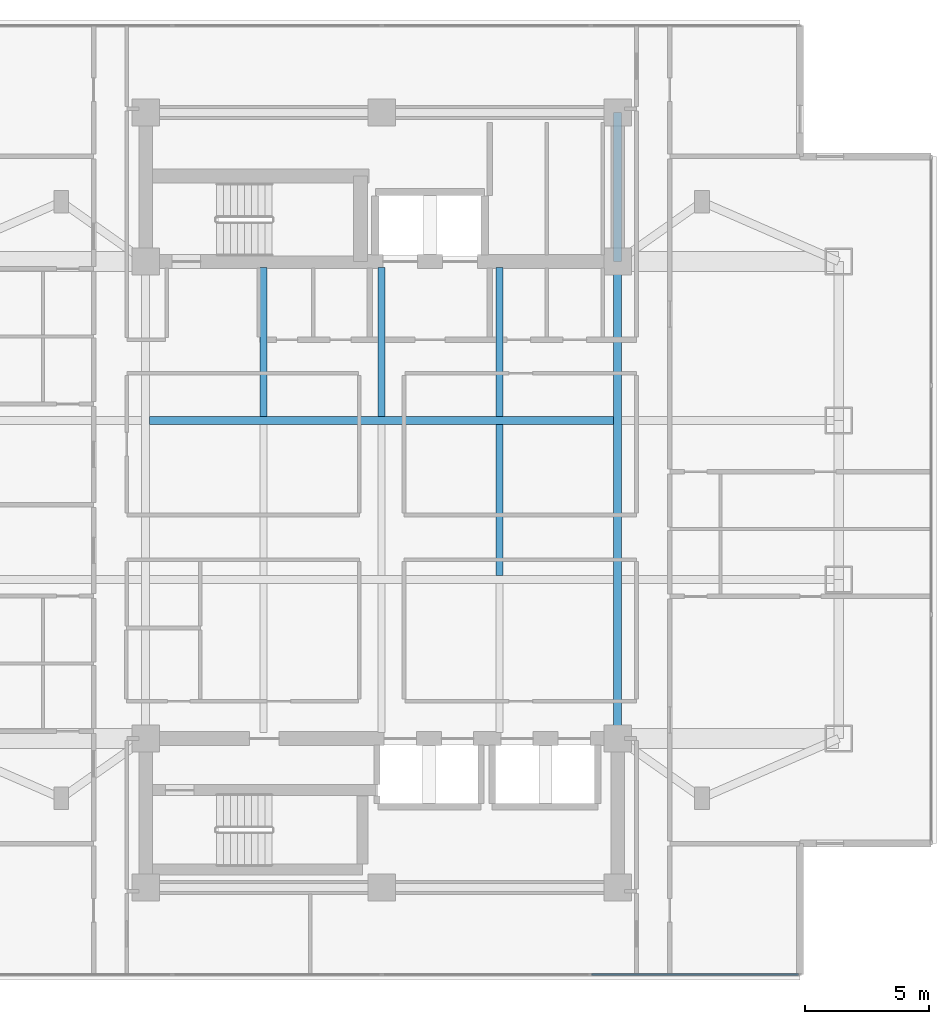
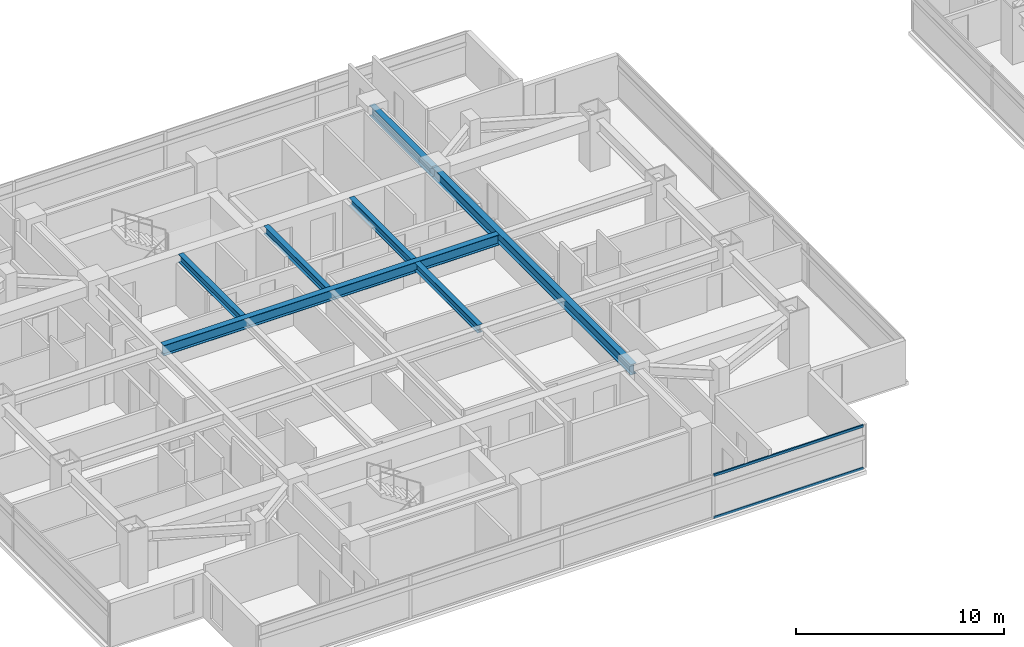
# One storey, part 4 of 24: 7 beams, 2 members, 1 element without a shape of its own.
"""IFC4 building model written with IfcOpenShell, lengths in metres."""

from ifc_helpers import new_model, si_unit, direction, frame, origin, origin_2d, place, context, subcontext, project, spatial, rectangle, i_section, extrude, material, material_profile, profile_set, type_object, element, aggregate, save


model = new_model("IFC4")

# Units and contexts
model_context = context("Model", 3, precision=1e-05, world=origin(), true_north=direction((0.0, 1.0)))
body_context = subcontext(model_context, "Body", "Model", "MODEL_VIEW")
ifc_project = project(units=[si_unit("LENGTHUNIT", "METRE"), si_unit("AREAUNIT", "SQUARE_METRE"), si_unit("VOLUMEUNIT", "CUBIC_METRE"), si_unit("PLANEANGLEUNIT", "RADIAN"), si_unit("MASSUNIT", "GRAM", prefix="KILO")], contexts=[model_context])

# Site, building, storey
site_placement = place(None, origin())
site = spatial("IfcSite", under=ifc_project, at=site_placement, CompositionType="ELEMENT")
building_placement = place(site_placement, origin())
building = spatial("IfcBuilding", under=site, at=building_placement, Name="Mirazonda Arch Towers", CompositionType="ELEMENT")
storey_placement = place(building_placement, frame((0.0, 0.0, 144.5)))
storey = spatial("IfcBuildingStorey", under=building, at=storey_placement, Name="L41", CompositionType="ELEMENT", Elevation=144.5)

# Beams
ifc_material_1 = material(Name="Steel ASTM A992 Grade 50", Category="steel")
ifc_material_profile_1 = material_profile(ifc_material_1, i_section(OverallWidth=0.280029296875, OverallDepth=0.462890625, WebThickness=0.0107421875, FlangeThickness=0.017333984375, at=origin_2d()), Name="W18X76")
ifc_profile_set_1 = profile_set([ifc_material_profile_1], Name="Steel ASTM A992 Grade 50")
beam_type_1 = type_object("IfcBeamType", Name="BM-INT-W18X76", PredefinedType="JOIST", material=ifc_profile_set_1)
for number, where, z_axis, x_axis, name in (
    (1, (15.75, 31.3583984375, 2.70849609375), (0.0, 1.0, 0.0), (-1.0, 0.0, 0.0), "L41 Floor Beam BMT-T1-L41-J-157-31"),
    (2, (20.5, 31.3583984375, 2.70849609375), (0.0, 1.0, 0.0), (-1.0, 0.0, 0.0), "L41 Floor Beam BMT-T1-L41-J-205-31"),
    (3, (25.25, 31.3583984375, 2.70849609375), (0.0, 1.0, 0.0), (-1.0, 0.0, 0.0), "L41 Floor Beam BMT-T1-L41-J-252-31"),
):
    element("IfcBeam", number, at=place(storey_placement, frame(where, z_axis=z_axis, x_axis=x_axis)), inside=storey, type_object=beam_type_1, Name=name, PredefinedType="JOIST", context=body_context, shape_type="SweptSolid", body=[
        extrude(i_section(OverallWidth=0.280029296875, OverallDepth=0.462890625, WebThickness=0.0107421875, FlangeThickness=0.017333984375, at=origin_2d()), origin(), (0.0, 0.0, 1.0), 6.001708984375),
    ])
beam_1_placement = place(storey_placement, frame((25.25, 24.95849609375, 2.70849609375), z_axis=(0.0, 1.0, 0.0), x_axis=(-1.0, 0.0, 0.0)))
element("IfcBeam", 4, at=beam_1_placement, inside=storey, type_object=beam_type_1, Name="L41 Floor Beam BMT-T1-L41-J-252-24", PredefinedType="JOIST", context=body_context, shape_type="SweptSolid", body=[
    extrude(i_section(OverallWidth=0.280029296875, OverallDepth=0.462890625, WebThickness=0.0107421875, FlangeThickness=0.017333984375, at=origin_2d()), origin(), (0.0, 0.0, 1.0), 6.0830078125),
])
ifc_material_profile_2 = material_profile(ifc_material_1, i_section(OverallWidth=0.324951171875, OverallDepth=0.615966796875, WebThickness=0.013916015625, FlangeThickness=0.021484375, at=origin_2d()), Name="W24X117")
ifc_profile_set_2 = profile_set([ifc_material_profile_2], Name="Steel ASTM A992 Grade 50")
beam_type_2 = type_object("IfcBeamType", Name="BM-INT-W24X117", PredefinedType="BEAM", material=ifc_profile_set_2)
beam_2_placement = place(storey_placement, frame((11.16259765625, 31.199951171875, 2.632080078125), z_axis=(1.0, 0.0, 0.0), x_axis=(0.0, 1.0, 0.0)))
element("IfcBeam", 5, at=beam_2_placement, inside=storey, type_object=beam_type_2, Name="L41 Floor Beam BMT-T1-L41-GC3", PredefinedType="BEAM", context=body_context, shape_type="SweptSolid", body=[
    extrude(i_section(OverallWidth=0.324951171875, OverallDepth=0.615966796875, WebThickness=0.013916015625, FlangeThickness=0.021484375, at=origin_2d()), origin(), (0.0, 0.0, 1.0), 18.6748046875),
])
beam_3_placement = place(storey_placement, frame((30.0, 37.60009765625, 2.632080078125), z_axis=(0.0, 1.0, 0.0), x_axis=(-1.0, 0.0, 0.0)))
element("IfcBeam", 6, at=beam_3_placement, inside=storey, type_object=beam_type_2, Name="L41 Floor Beam BMT-T1-L41-CNE", PredefinedType="BEAM", context=body_context, shape_type="SweptSolid", body=[
    extrude(i_section(OverallWidth=0.324951171875, OverallDepth=0.615966796875, WebThickness=0.013916015625, FlangeThickness=0.021484375, at=origin_2d()), origin(), (0.0, 0.0, 1.0), 6.0),
])
beam_4_placement = place(storey_placement, frame((30.0, 18.39990234375, 2.632080078125), z_axis=(0.0, 1.0, 0.0), x_axis=(-1.0, 0.0, 0.0)))
element("IfcBeam", 7, at=beam_4_placement, inside=storey, type_object=beam_type_2, Name="L41 Floor Beam BMT-T1-L41-NS-CE-FULL", PredefinedType="BEAM", context=body_context, shape_type="SweptSolid", body=[
    extrude(i_section(OverallWidth=0.324951171875, OverallDepth=0.615966796875, WebThickness=0.013916015625, FlangeThickness=0.021484375, at=origin_2d()), origin(), (0.0, 0.0, 1.0), 19.2001953125),
])

# Curtain wall, members
ifc_material_2 = material(Name="Anodised Aluminium and Low-E Glass", Category="aluminium")
curtain_wall_type = type_object("IfcCurtainWallType", Name="CW-HTL-UNIT", PredefinedType="NOTDEFINED", material=ifc_material_2)
curtain_wall_placement = place(storey_placement, origin())
curtain_wall = element("IfcCurtainWall", 8, at=curtain_wall_placement, inside=storey, type_object=curtain_wall_type, Name="L41 T1 S Facade CW-L41-T1-S", PredefinedType="NOTDEFINED")
ifc_material_3 = material(Name="Anodised Aluminium Alloy", Category="aluminium")
ifc_material_profile_3 = material_profile(ifc_material_3, rectangle(XDim=0.074951171875, YDim=0.14501953125, at=origin_2d()), Name="ALU-TRAN-75x145")
ifc_profile_set_3 = profile_set([ifc_material_profile_3], Name="Anodised Aluminium Alloy")
member_type = type_object("IfcMemberType", Name="TRAN-CW-HTL-UNIT", PredefinedType="USERDEFINED", material=ifc_profile_set_3)
member_1_placement = place(storey_placement, frame((37.27490234375, 8.89599609375, 0.03759765625), z_axis=(-1.0, 0.0, 0.0), x_axis=(0.0, -1.0, 0.0)))
member_1 = element("IfcMember", 9, at=member_1_placement, type_object=member_type, Name="CW-112 transom 1.1", ObjectType="TRANSOM", PredefinedType="USERDEFINED", context=body_context, shape_type="SweptSolid", body=[
    extrude(rectangle(XDim=0.074951171875, YDim=0.14501953125, at=origin_2d()), origin(), (0.0, 0.0, 1.0), 8.3125),
])
member_2_placement = place(storey_placement, frame((37.27490234375, 8.89599609375, 2.5224609375), z_axis=(-1.0, 0.0, 0.0), x_axis=(0.0, -1.0, 0.0)))
member_2 = element("IfcMember", 10, at=member_2_placement, type_object=member_type, Name="CW-112 transom 1.2", ObjectType="TRANSOM", PredefinedType="USERDEFINED", context=body_context, shape_type="SweptSolid", body=[
    extrude(rectangle(XDim=0.074951171875, YDim=0.14501953125, at=origin_2d()), origin(), (0.0, 0.0, 1.0), 8.3125),
])
aggregate(curtain_wall, [member_1, member_2])

save(model, "model.ifc")
